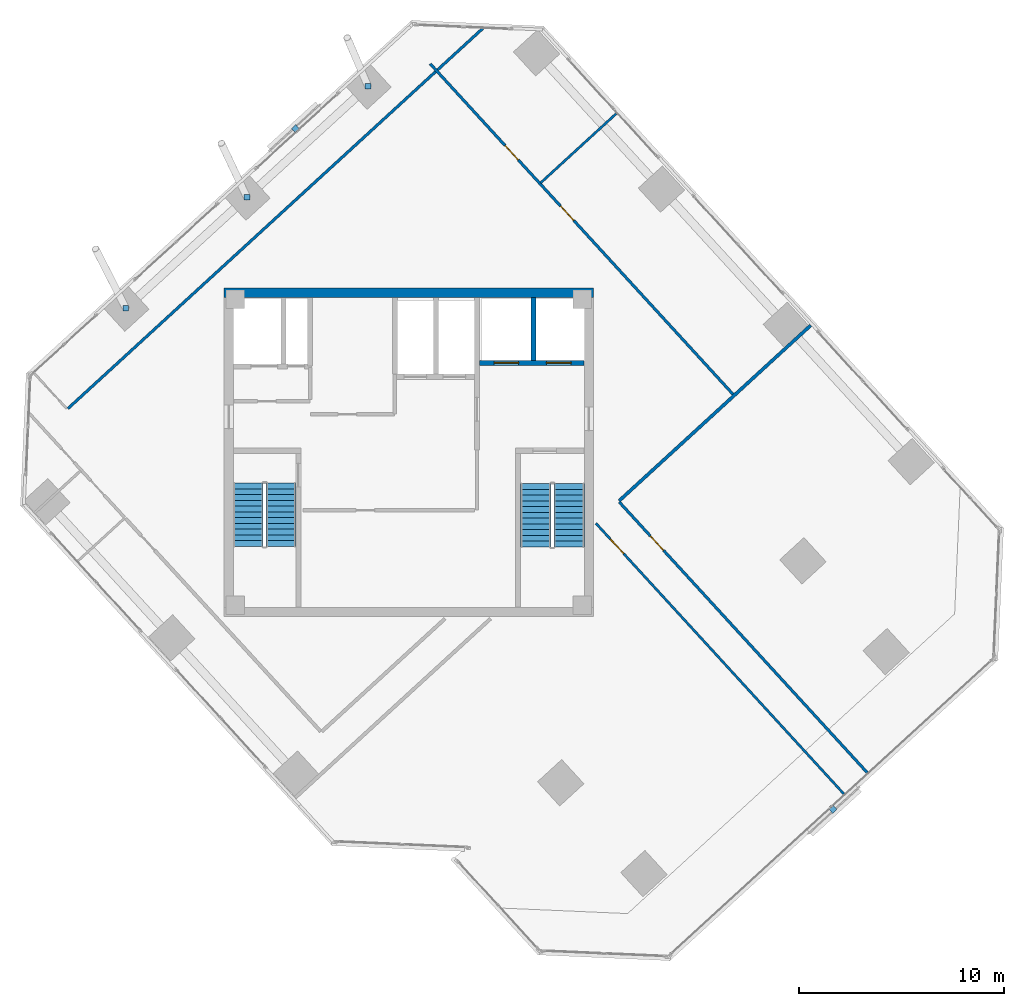
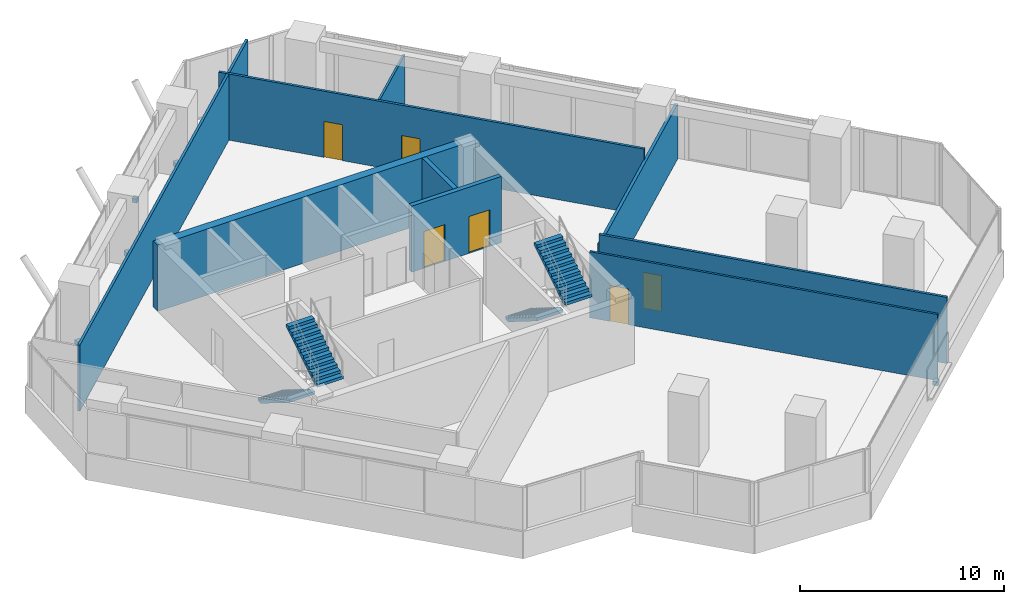
# One storey, part 13 of 16: 9 walls, 6 doors, 5 discrete accessories, 4 stair flights, 6 openings, 2 elements without a shape of their own.
"""IFC4 building model written with IfcOpenShell, lengths in metres."""

from ifc_helpers import new_model, si_unit, direction, frame, frame_2d, origin, origin_2d, place, context, subcontext, project, spatial, polyline, rectangle, outline, extrude, source, transform, mapped, material, layer, layer_set, type_object, element, fill, aggregate, save


model = new_model("IFC4")

# Units and contexts
model_context = context("Model", 3, precision=1e-05, world=origin(), true_north=direction((0.0, 1.0)))
body_context = subcontext(model_context, "Body", "Model", "MODEL_VIEW")
ifc_project = project(units=[si_unit("LENGTHUNIT", "METRE"), si_unit("AREAUNIT", "SQUARE_METRE"), si_unit("VOLUMEUNIT", "CUBIC_METRE"), si_unit("PLANEANGLEUNIT", "RADIAN"), si_unit("MASSUNIT", "GRAM", prefix="KILO")], contexts=[model_context])

# Site, building, storey
site_placement = place(None, origin())
site = spatial("IfcSite", under=ifc_project, at=site_placement, CompositionType="ELEMENT")
building_placement = place(site_placement, origin())
building = spatial("IfcBuilding", under=site, at=building_placement, Name="Torre Montelarca", CompositionType="ELEMENT")
storey_placement = place(building_placement, frame((0.0, 0.0, 262.60009765625)))
storey = spatial("IfcBuildingStorey", under=building, at=storey_placement, Name="L59", CompositionType="ELEMENT", Elevation=262.60009765625)

# Wall, openings, doors
ifc_material_1 = material(Name="Concrete C40/50", Category="concrete")
ifc_layer_1 = layer(ifc_material_1, 0.25, Name="Concrete C40/50", Category="concrete")
ifc_layer_set_1 = layer_set([ifc_layer_1], Name="Concrete C40/50")
wall_type_1 = type_object("IfcWallType", Name="CW-SHAFT-250", PredefinedType="SHEAR", material=ifc_layer_set_1)
wall_1_placement = place(storey_placement, frame((21.449951171875, 36.35009765625, 0.0), z_axis=(0.0, 0.0, 1.0), x_axis=(1.0, 0.0, 0.0)))
wall_1 = element("IfcWall", 1, at=wall_1_placement, inside=storey, type_object=wall_type_1, Name="L59 Core Shear Wall SH-FF-S", PredefinedType="SHEAR", context=body_context, shape_type="SweptSolid", body=[
    extrude(rectangle(XDim=5.090087890625, YDim=0.25, at=frame_2d((2.544921875, 0.0))), origin(), (0.0, 0.0, 1.0), 3.9599609375),
])
opening_1_placement = place(wall_1_placement, frame((0.699951171875, 0.0, 0.0)))
opening_1 = element("IfcOpeningElement", 2, at=opening_1_placement, cuts=wall_1, Name="Opening LD-120", PredefinedType="OPENING", context=body_context, shape_type="SweptSolid", body=[
    extrude(rectangle(XDim=1.199951171875, YDim=2.199951171875, at=frame_2d((0.60009765625, 1.10009765625))), frame((0.0, 0.135009765625, 0.0), z_axis=(0.0, -1.0, 0.0), x_axis=(1.0, 0.0, 0.0)), (0.0, 0.0, 1.0), 0.27001953125),
])
opening_2_placement = place(wall_1_placement, frame((3.25, 0.0, 0.0)))
opening_2 = element("IfcOpeningElement", 3, at=opening_2_placement, cuts=wall_1, Name="Opening LD-120", PredefinedType="OPENING", context=body_context, shape_type="SweptSolid", body=[
    extrude(rectangle(XDim=1.199951171875, YDim=2.199951171875, at=frame_2d((0.60009765625, 1.10009765625))), frame((0.0, 0.135009765625, 0.0), z_axis=(0.0, -1.0, 0.0), x_axis=(1.0, 0.0, 0.0)), (0.0, 0.0, 1.0), 0.27001953125),
])
ifc_material_2 = material(Name="Brushed stainless steel AISI 316", Category="steel")
door_type_1 = type_object("IfcDoorType", Name="DR-LIFT-120", OperationType="SLIDING_TO_RIGHT", PredefinedType="DOOR", material=ifc_material_2)
shared_shape_1 = source(origin(), body_context, "Body", "SweptSolid", [
    extrude(rectangle(XDim=1.199951171875, YDim=2.199951171875, at=frame_2d((0.60009765625, 1.10009765625))), frame((0.0, 0.02490234375, 0.0), z_axis=(0.0, -1.0, 0.0), x_axis=(1.0, 0.0, 0.0)), (0.0, 0.0, 1.0), 0.050048828125),
])
door_1_placement = place(opening_1_placement, origin())
door_1 = element("IfcDoor", 4, at=door_1_placement, inside=storey, type_object=door_type_1, Name="L59 Lift Landing Sliding Door FF-1", OperationType="SLIDING_TO_LEFT", OverallHeight=2.199951171875, OverallWidth=1.199951171875, PredefinedType="DOOR", context=body_context, shape_type="MappedRepresentation", body=[
    mapped(shared_shape_1, transform((0.0, 0.0, 0.0), scale=1.0)),
])
fill(opening_1, door_1)
door_2_placement = place(opening_2_placement, origin())
door_2 = element("IfcDoor", 5, at=door_2_placement, inside=storey, type_object=door_type_1, Name="L59 Lift Landing Sliding Door FF-2", OperationType="SLIDING_TO_RIGHT", OverallHeight=2.199951171875, OverallWidth=1.199951171875, PredefinedType="DOOR", context=body_context, shape_type="MappedRepresentation", body=[
    mapped(shared_shape_1, transform((0.0, 0.0, 0.0), scale=1.0)),
])
fill(opening_2, door_2)

# Walls
wall_2_placement = place(storey_placement, frame((24.080078125, 36.47998046875, 0.0), z_axis=(0.0, 0.0, 1.0), x_axis=(0.0, 1.0, 0.0)))
element("IfcWall", 6, at=wall_2_placement, inside=storey, type_object=wall_type_1, Name="L59 Core Shear Wall SH-FF-M", PredefinedType="SHEAR", context=body_context, shape_type="SweptSolid", body=[
    extrude(rectangle(XDim=3.06005859375, YDim=0.25, at=frame_2d((1.530029296875, 0.0))), origin(), (0.0, 0.0, 1.0), 3.9599609375),
])
ifc_material_3 = material(Name="Concrete C55/67", Category="concrete")
ifc_layer_2 = layer(ifc_material_3, 0.449951171875, Name="Concrete C55/67", Category="concrete")
ifc_layer_set_2 = layer_set([ifc_layer_2], Name="Concrete C55/67")
wall_type_2 = type_object("IfcWallType", Name="CW-SHEAR-450", PredefinedType="SHEAR", material=ifc_layer_set_2)
wall_3_placement = place(storey_placement, frame((9.0, 39.77490234375, 0.0), z_axis=(0.0, 0.0, 1.0), x_axis=(1.0, 0.0, 0.0)))
element("IfcWall", 7, at=wall_3_placement, inside=storey, type_object=wall_type_2, Name="L59 Core Shear Wall CW-N1", PredefinedType="SHEAR", context=body_context, shape_type="SweptSolid", body=[
    extrude(rectangle(XDim=18.0, YDim=0.449951171875, at=frame_2d((9.0, 0.0))), origin(), (0.0, 0.0, 1.0), 3.9599609375),
])
ifc_material_4 = material(Name="Gypsum plasterboard on steel stud", Category="steel")
ifc_layer_3 = layer(ifc_material_4, 0.159912109375, Name="Gypsum plasterboard on steel stud", Category="steel")
ifc_layer_set_3 = layer_set([ifc_layer_3], Name="Gypsum plasterboard on steel stud")
wall_type_3 = type_object("IfcWallType", Name="PW-FIRE-160", PredefinedType="PARTITIONING", material=ifc_layer_set_3)
wall_4_placement = place(storey_placement, frame((28.248291015625, 29.638671875, 0.0), z_axis=(0.0, 0.0, 1.0), x_axis=(0.73728000412, 0.675587296746, 0.0)))
element("IfcWall", 8, at=wall_4_placement, inside=storey, type_object=wall_type_3, Name="L59 Interior Partition W-L59-ECN", PredefinedType="PARTITIONING", context=body_context, shape_type="SweptSolid", body=[
    extrude(rectangle(XDim=12.639892578125, YDim=0.159912109375, at=frame_2d((6.31982421875, 0.0))), origin(), (0.0, 0.0, 1.0), 3.294921875),
])
ifc_layer_4 = layer(ifc_material_4, 0.114990234375, Name="Gypsum plasterboard on steel stud", Category="steel")
ifc_layer_set_4 = layer_set([ifc_layer_4], Name="Gypsum plasterboard on steel stud")
wall_type_4 = type_object("IfcWallType", Name="PW-PART-115", PredefinedType="PARTITIONING", material=ifc_layer_set_4)
wall_5_placement = place(storey_placement, frame((24.415283203125, 45.115234375, 0.0), z_axis=(0.0, 0.0, 1.0), x_axis=(0.737279537385, 0.675587806101, 0.0)))
element("IfcWall", 9, at=wall_5_placement, inside=storey, type_object=wall_type_4, Name="L59 Interior Partition W-L59-NDIV-1", PredefinedType="PARTITIONING", context=body_context, shape_type="SweptSolid", body=[
    extrude(rectangle(XDim=5.010009765625, YDim=0.114990234375, at=frame_2d((2.5048828125, 0.0))), origin(), (0.0, 0.0, 1.0), 3.294921875),
])

# Wall, opening, door
wall_6_placement = place(storey_placement, frame((27.1103515625, 28.541748046875, 0.0), z_axis=(0.0, 0.0, 1.0), x_axis=(0.675588589041, -0.737278819957, 0.0)))
wall_6 = element("IfcWall", 10, at=wall_6_placement, inside=storey, type_object=wall_type_4, Name="L59 Interior Partition W-L59-SE-N", PredefinedType="PARTITIONING", context=body_context, shape_type="SweptSolid", body=[
    extrude(rectangle(XDim=17.880126953125, YDim=0.114990234375, at=frame_2d((8.93994140625, 0.0))), origin(), (0.0, 0.0, 1.0), 3.9599609375),
])
opening_3_placement = place(wall_6_placement, frame((1.050048828125, 0.0, 0.0)))
opening_3 = element("IfcOpeningElement", 11, at=opening_3_placement, cuts=wall_6, Name="Opening ID-095", PredefinedType="OPENING", context=body_context, shape_type="SweptSolid", body=[
    extrude(rectangle(XDim=0.949951171875, YDim=2.14990234375, at=frame_2d((0.47509765625, 1.074951171875))), frame((0.0, 0.0673828125, 0.0), z_axis=(0.0, -1.0, 0.0), x_axis=(1.0, 0.0, 0.0)), (0.0, 0.0, 1.0), 0.135009765625),
])
ifc_material_5 = material(Name="Hardwood acoustic timber veneer", Category="wood")
door_type_2 = type_object("IfcDoorType", Name="DR-INT-095", OperationType="NOTDEFINED", PredefinedType="DOOR", material=ifc_material_5)
shared_shape_2 = source(origin(), body_context, "Body", "SweptSolid", [
    extrude(rectangle(XDim=0.949951171875, YDim=2.14990234375, at=frame_2d((0.47509765625, 1.074951171875))), frame((0.0, 0.02490234375, 0.0), z_axis=(0.0, -1.0, 0.0), x_axis=(1.0, 0.0, 0.0)), (0.0, 0.0, 1.0), 0.050048828125),
])
door_3_placement = place(opening_3_placement, origin())
door_3 = element("IfcDoor", 12, at=door_3_placement, inside=storey, type_object=door_type_2, Name="L59 Interior Door 11", OperationType="SINGLE_SWING_LEFT", OverallHeight=2.14990234375, OverallWidth=0.949951171875, PredefinedType="DOOR", context=body_context, shape_type="MappedRepresentation", body=[
    mapped(shared_shape_2, transform((0.0, 0.0, 0.0), scale=1.0)),
])
fill(opening_3, door_3)

# Wall, openings, doors
ifc_layer_5 = layer(ifc_material_4, 0.135009765625, Name="Gypsum plasterboard on steel stud", Category="steel")
ifc_layer_set_5 = layer_set([ifc_layer_5], Name="Gypsum plasterboard on steel stud")
wall_type_5 = type_object("IfcWallType", Name="PW-PART-135", PredefinedType="PARTITIONING", material=ifc_layer_set_5)
wall_7_placement = place(storey_placement, frame((19.0419921875, 50.920166015625, 0.0), z_axis=(0.0, 0.0, 1.0), x_axis=(0.675589646996, -0.737277850523, 0.0)))
wall_7 = element("IfcWall", 13, at=wall_7_placement, inside=storey, type_object=wall_type_5, Name="L59 Interior Partition W-L59-NBOT", PredefinedType="PARTITIONING", context=body_context, shape_type="SweptSolid", body=[
    extrude(rectangle(XDim=21.8701171875, YDim=0.135009765625, at=frame_2d((10.93505859375, 0.0))), origin(), (0.0, 0.0, 1.0), 3.9599609375),
])
opening_4_placement = place(wall_7_placement, frame((5.39990234375, 0.0, 0.0)))
opening_4 = element("IfcOpeningElement", 14, at=opening_4_placement, cuts=wall_7, Name="Opening ID-095", PredefinedType="OPENING", context=body_context, shape_type="SweptSolid", body=[
    extrude(rectangle(XDim=0.949951171875, YDim=2.14990234375, at=frame_2d((0.47509765625, 1.074951171875))), frame((0.0, 0.07763671875, 0.0), z_axis=(0.0, -1.0, 0.0), x_axis=(1.0, 0.0, 0.0)), (0.0, 0.0, 1.0), 0.155029296875),
])
opening_5_placement = place(wall_7_placement, frame((9.39990234375, 0.0, 0.0)))
opening_5 = element("IfcOpeningElement", 15, at=opening_5_placement, cuts=wall_7, Name="Opening ID-095", PredefinedType="OPENING", context=body_context, shape_type="SweptSolid", body=[
    extrude(rectangle(XDim=0.949951171875, YDim=2.14990234375, at=frame_2d((0.47509765625, 1.074951171875))), frame((0.0, 0.07763671875, 0.0), z_axis=(0.0, -1.0, 0.0), x_axis=(1.0, 0.0, 0.0)), (0.0, 0.0, 1.0), 0.155029296875),
])
door_4_placement = place(opening_4_placement, origin())
door_4 = element("IfcDoor", 16, at=door_4_placement, inside=storey, type_object=door_type_2, Name="L59 Interior Door 07", OperationType="SINGLE_SWING_LEFT", OverallHeight=2.14990234375, OverallWidth=0.949951171875, PredefinedType="DOOR", context=body_context, shape_type="MappedRepresentation", body=[
    mapped(shared_shape_2, transform((0.0, 0.0, 0.0), scale=1.0)),
])
fill(opening_4, door_4)
door_5_placement = place(opening_5_placement, origin())
door_5 = element("IfcDoor", 17, at=door_5_placement, inside=storey, type_object=door_type_2, Name="L59 Interior Door 08", OperationType="SINGLE_SWING_RIGHT", OverallHeight=2.14990234375, OverallWidth=0.949951171875, PredefinedType="DOOR", context=body_context, shape_type="MappedRepresentation", body=[
    mapped(shared_shape_2, transform((0.0, 0.0, 0.0), scale=1.0)),
])
fill(opening_5, door_5)

# Wall
wall_8_placement = place(storey_placement, frame((1.392578125, 34.12353515625, 0.0), z_axis=(0.0, 0.0, 1.0), x_axis=(0.737274323436, 0.675593496121, 0.0)))
element("IfcWall", 18, at=wall_8_placement, inside=storey, type_object=wall_type_5, Name="L59 Interior Partition W-L59-WPKE", PredefinedType="PARTITIONING", context=body_context, shape_type="SweptSolid", body=[
    extrude(rectangle(XDim=27.402099609375, YDim=0.135009765625, at=frame_2d((13.701171875, 0.0))), origin(), (0.0, 0.0, 1.0), 3.9599609375),
])

# Wall, opening, door
wall_9_placement = place(storey_placement, frame((28.24560546875, 29.58203125, 0.0), z_axis=(0.0, 0.0, 1.0), x_axis=(0.67559539026, -0.737272587758, 0.0)))
wall_9 = element("IfcWall", 19, at=wall_9_placement, inside=storey, type_object=wall_type_5, Name="L59 Interior Partition W-L59-NE-S", PredefinedType="PARTITIONING", context=body_context, shape_type="SweptSolid", body=[
    extrude(rectangle(XDim=17.8798828125, YDim=0.135009765625, at=frame_2d((8.93994140625, 0.0))), origin(), (0.0, 0.0, 1.0), 3.9599609375),
])
opening_6_placement = place(wall_9_placement, frame((2.25, 0.0, 0.0)))
opening_6 = element("IfcOpeningElement", 20, at=opening_6_placement, cuts=wall_9, Name="Opening ID-095", PredefinedType="OPENING", context=body_context, shape_type="SweptSolid", body=[
    extrude(rectangle(XDim=0.949951171875, YDim=2.14990234375, at=frame_2d((0.47509765625, 1.074951171875))), frame((0.0, 0.07763671875, 0.0), z_axis=(0.0, -1.0, 0.0), x_axis=(1.0, 0.0, 0.0)), (0.0, 0.0, 1.0), 0.155029296875),
])
door_6_placement = place(opening_6_placement, origin())
door_6 = element("IfcDoor", 21, at=door_6_placement, inside=storey, type_object=door_type_2, Name="L59 Interior Door 10", OperationType="SINGLE_SWING_LEFT", OverallHeight=2.14990234375, OverallWidth=0.949951171875, PredefinedType="DOOR", context=body_context, shape_type="MappedRepresentation", body=[
    mapped(shared_shape_2, transform((0.0, 0.0, 0.0), scale=1.0)),
])
fill(opening_6, door_6)

# Stair, stair flights
stair_type_1 = type_object("IfcStairType", Name="ST-CORE-ST1", PredefinedType="HALF_TURN_STAIR", material=ifc_material_1)
stair_1_placement = place(storey_placement, origin())
stair_1 = element("IfcStair", 22, at=stair_1_placement, inside=storey, type_object=stair_type_1, Name="L59 Protected Exit Stair ST1", PredefinedType="HALF_TURN_STAIR")
stair_flight_type_1 = type_object("IfcStairFlightType", Name="SFL-CORE-ST1", PredefinedType="STRAIGHT", material=ifc_material_1)
stair_flight_1_placement = place(storey_placement, frame((10.175048828125, 30.5, 0.0), z_axis=(0.0, 0.0, 1.0), x_axis=(0.0, -1.0, 0.0)))
stair_flight_1 = element("IfcStairFlight", 23, at=stair_flight_1_placement, type_object=stair_flight_type_1, Name="ST1 flight 1", NumberOfRisers=12, NumberOfTreads=11, PredefinedType="STRAIGHT", RiserHeight=0.175, TreadLength=0.28, context=body_context, shape_type="SweptSolid", body=[
    extrude(outline(polyline([(0.0, 0.0), (0.0, 0.175048828125), (0.280029296875, 0.175048828125), (0.280029296875, 0.35009765625), (0.56005859375, 0.35009765625), (0.56005859375, 0.52490234375), (0.840087890625, 0.52490234375), (0.840087890625, 0.699951171875), (1.1201171875, 0.699951171875), (1.1201171875, 0.875), (1.39990234375, 0.875), (1.39990234375, 1.050048828125), (1.679931640625, 1.050048828125), (1.679931640625, 1.22509765625), (1.9599609375, 1.22509765625), (1.9599609375, 1.39990234375), (2.239990234375, 1.39990234375), (2.239990234375, 1.574951171875), (2.52001953125, 1.574951171875), (2.52001953125, 1.75), (2.800048828125, 1.75), (2.800048828125, 1.925048828125), (3.080078125, 1.925048828125), (3.080078125, 2.10009765625), (3.080078125, 1.748291015625), (0.28271484375, 0.0), (0.0, 0.0)])), frame((0.0, 0.72509765625, 0.0), z_axis=(0.0, -1.0, 0.0), x_axis=(1.0, 0.0, 0.0)), (0.0, 0.0, 1.0), 1.449951171875),
])
stair_flight_2_placement = place(storey_placement, frame((11.77490234375, 27.419921875, 2.099853515625), z_axis=(0.0, 0.0, 1.0), x_axis=(0.0, 1.0, 0.0)))
stair_flight_2 = element("IfcStairFlight", 24, at=stair_flight_2_placement, type_object=stair_flight_type_1, Name="ST1 flight 2", NumberOfRisers=12, NumberOfTreads=11, PredefinedType="STRAIGHT", RiserHeight=0.175, TreadLength=0.28, context=body_context, shape_type="SweptSolid", body=[
    extrude(outline(polyline([(0.0, 0.0), (0.0, 0.175048828125), (0.280029296875, 0.175048828125), (0.280029296875, 0.35009765625), (0.56005859375, 0.35009765625), (0.56005859375, 0.52490234375), (0.840087890625, 0.52490234375), (0.840087890625, 0.699951171875), (1.1201171875, 0.699951171875), (1.1201171875, 0.875), (1.39990234375, 0.875), (1.39990234375, 1.050048828125), (1.679931640625, 1.050048828125), (1.679931640625, 1.22509765625), (1.9599609375, 1.22509765625), (1.9599609375, 1.39990234375), (2.239990234375, 1.39990234375), (2.239990234375, 1.574951171875), (2.52001953125, 1.574951171875), (2.52001953125, 1.75), (2.800048828125, 1.75), (2.800048828125, 1.925048828125), (3.080078125, 1.925048828125), (3.080078125, 2.10009765625), (3.080078125, 1.748291015625), (0.28271484375, 0.0), (0.0, 0.0)])), frame((0.0, 0.72509765625, 0.0), z_axis=(0.0, -1.0, 0.0), x_axis=(1.0, 0.0, 0.0)), (0.0, 0.0, 1.0), 1.449951171875),
])
aggregate(stair_1, [stair_flight_1, stair_flight_2])

stair_type_2 = type_object("IfcStairType", Name="ST-CORE-ST2", PredefinedType="HALF_TURN_STAIR", material=ifc_material_1)
stair_2_placement = place(storey_placement, origin())
stair_2 = element("IfcStair", 25, at=stair_2_placement, inside=storey, type_object=stair_type_2, Name="L59 Protected Exit Stair ST2", PredefinedType="HALF_TURN_STAIR")
stair_flight_type_2 = type_object("IfcStairFlightType", Name="SFL-CORE-ST2", PredefinedType="STRAIGHT", material=ifc_material_1)
stair_flight_3_placement = place(storey_placement, frame((24.179931640625, 30.469970703125, 0.0), z_axis=(0.0, 0.0, 1.0), x_axis=(0.0, -1.0, 0.0)))
stair_flight_3 = element("IfcStairFlight", 26, at=stair_flight_3_placement, type_object=stair_flight_type_2, Name="ST2 flight 1", NumberOfRisers=12, NumberOfTreads=11, PredefinedType="STRAIGHT", RiserHeight=0.175, TreadLength=0.28, context=body_context, shape_type="SweptSolid", body=[
    extrude(outline(polyline([(0.0, 0.0), (0.0, 0.175048828125), (0.280029296875, 0.175048828125), (0.280029296875, 0.35009765625), (0.56005859375, 0.35009765625), (0.56005859375, 0.52490234375), (0.840087890625, 0.52490234375), (0.840087890625, 0.699951171875), (1.1201171875, 0.699951171875), (1.1201171875, 0.875), (1.39990234375, 0.875), (1.39990234375, 1.050048828125), (1.679931640625, 1.050048828125), (1.679931640625, 1.22509765625), (1.9599609375, 1.22509765625), (1.9599609375, 1.39990234375), (2.239990234375, 1.39990234375), (2.239990234375, 1.574951171875), (2.52001953125, 1.574951171875), (2.52001953125, 1.75), (2.800048828125, 1.75), (2.800048828125, 1.925048828125), (3.080078125, 1.925048828125), (3.080078125, 2.10009765625), (3.080078125, 1.748291015625), (0.28271484375, 0.0), (0.0, 0.0)])), frame((0.0, 0.739990234375, 0.0), z_axis=(0.0, -1.0, 0.0), x_axis=(1.0, 0.0, 0.0)), (0.0, 0.0, 1.0), 1.47998046875),
])
stair_flight_4_placement = place(storey_placement, frame((25.81005859375, 27.389892578125, 2.099853515625), z_axis=(0.0, 0.0, 1.0), x_axis=(0.0, 1.0, 0.0)))
stair_flight_4 = element("IfcStairFlight", 27, at=stair_flight_4_placement, type_object=stair_flight_type_2, Name="ST2 flight 2", NumberOfRisers=12, NumberOfTreads=11, PredefinedType="STRAIGHT", RiserHeight=0.175, TreadLength=0.28, context=body_context, shape_type="SweptSolid", body=[
    extrude(outline(polyline([(0.0, 0.0), (0.0, 0.175048828125), (0.280029296875, 0.175048828125), (0.280029296875, 0.35009765625), (0.56005859375, 0.35009765625), (0.56005859375, 0.52490234375), (0.840087890625, 0.52490234375), (0.840087890625, 0.699951171875), (1.1201171875, 0.699951171875), (1.1201171875, 0.875), (1.39990234375, 0.875), (1.39990234375, 1.050048828125), (1.679931640625, 1.050048828125), (1.679931640625, 1.22509765625), (1.9599609375, 1.22509765625), (1.9599609375, 1.39990234375), (2.239990234375, 1.39990234375), (2.239990234375, 1.574951171875), (2.52001953125, 1.574951171875), (2.52001953125, 1.75), (2.800048828125, 1.75), (2.800048828125, 1.925048828125), (3.080078125, 1.925048828125), (3.080078125, 2.10009765625), (3.080078125, 1.748291015625), (0.28271484375, 0.0), (0.0, 0.0)])), frame((0.0, 0.739990234375, 0.0), z_axis=(0.0, -1.0, 0.0), x_axis=(1.0, 0.0, 0.0)), (0.0, 0.0, 1.0), 1.47998046875),
])
aggregate(stair_2, [stair_flight_3, stair_flight_4])

# Discrete accessories
ifc_material_6 = material(Name="Stainless steel AISI 316", Category="steel")
discrete_accessory_type = type_object("IfcDiscreteAccessoryType", Name="ACC-BRACKET-SS", PredefinedType="BRACKET", material=ifc_material_6)
shared_shape_3 = source(origin(), body_context, "Body", "SweptSolid", [
    extrude(rectangle(XDim=0.280029296875, YDim=0.280029296875, at=origin_2d()), origin(), (0.0, 0.0, 1.0), 0.280029296875),
])
for number, where, z_axis, x_axis, name in (
    (28, (4.218017578125, 39.018310546875, 0.009765625), (0.0, 0.0, 1.0), (1.0, 0.0, 0.0), "L60 Raker End Connection Bracket W1-FT"),
    (29, (10.1162109375, 44.423095703125, 0.009765625), (0.0, 0.0, 1.0), (1.0, 0.0, 0.0), "L60 Raker End Connection Bracket W2-FT"),
    (30, (16.014404296875, 49.827880859375, 0.009765625), (0.0, 0.0, 1.0), (1.0, 0.0, 0.0), "L60 Raker End Connection Bracket W3-FT"),
):
    element("IfcDiscreteAccessory", number, at=place(storey_placement, frame(where, z_axis=z_axis, x_axis=x_axis)), inside=storey, type_object=discrete_accessory_type, Name=name, PredefinedType="BRACKET", context=body_context, shape_type="MappedRepresentation", body=[
        mapped(shared_shape_3, transform((0.0, 0.0, 0.0), scale=1.0)),
    ])
shared_shape_4 = source(origin(), body_context, "Body", "SweptSolid", [
    extrude(rectangle(XDim=0.280029296875, YDim=0.260009765625, at=origin_2d()), origin(), (0.0, 0.0, 1.0), 0.239990234375),
])
for number, where, z_axis, x_axis, name in (
    (31, (38.66162109375, 14.603759765625, 0.39990234375), (0.0, 0.0, 1.0), (0.737276157682, 0.675591494406, 0.0), "L59 Solar Screen Support Bracket E6-1"),
    (32, (12.4775390625, 47.766845703125, 0.39990234375), (0.0, 0.0, 1.0), (-0.737276157682, -0.675591494406, 0.0), "L59 Solar Screen Support Bracket E10-1"),
):
    element("IfcDiscreteAccessory", number, at=place(storey_placement, frame(where, z_axis=z_axis, x_axis=x_axis)), inside=storey, type_object=discrete_accessory_type, Name=name, PredefinedType="BRACKET", context=body_context, shape_type="MappedRepresentation", body=[
        mapped(shared_shape_4, transform((0.0, 0.0, 0.0), scale=1.0)),
    ])

save(model, "model.ifc")
